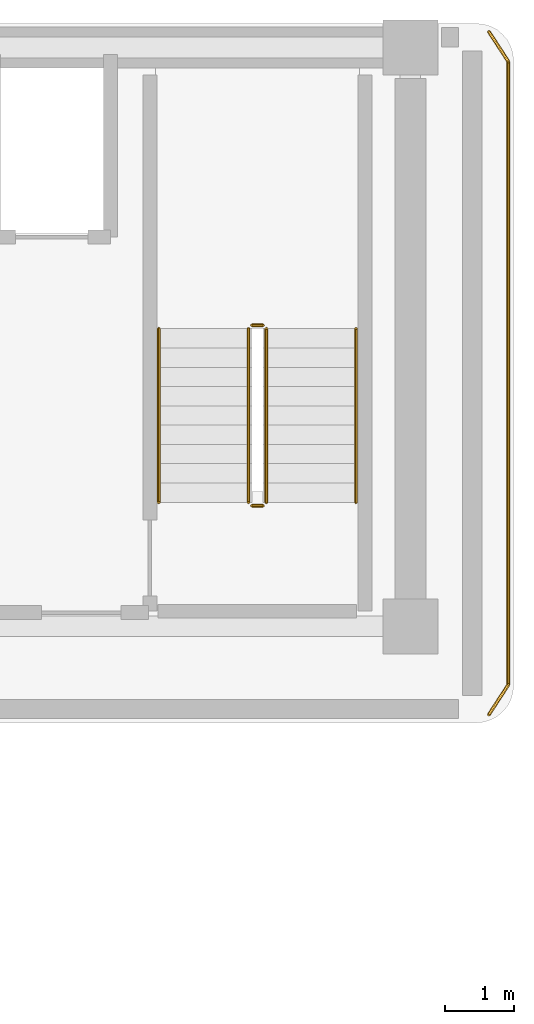
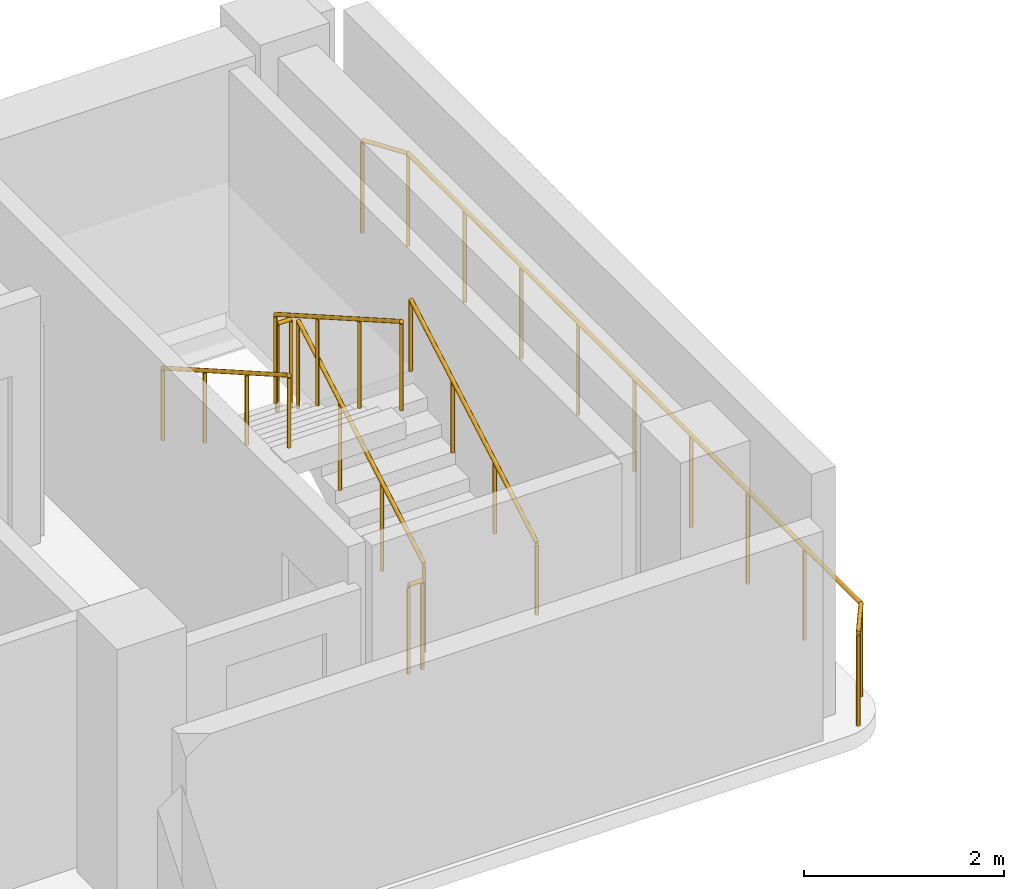
# One storey, part 11 of 11: 9 railings.
"""IFC4 building model written with IfcOpenShell, lengths in metres."""

from ifc_helpers import new_model, si_unit, direction, frame, origin, origin_2d, place, context, subcontext, project, spatial, circle, extrude, material, layer, layer_set, type_object, element, save


model = new_model("IFC4")

# Units and contexts
model_context = context("Model", 3, precision=1e-05, world=origin(), true_north=direction((0.0, 1.0)))
body_context = subcontext(model_context, "Body", "Model", "MODEL_VIEW")
ifc_project = project(units=[si_unit("LENGTHUNIT", "METRE"), si_unit("AREAUNIT", "SQUARE_METRE"), si_unit("VOLUMEUNIT", "CUBIC_METRE"), si_unit("PLANEANGLEUNIT", "RADIAN"), si_unit("MASSUNIT", "GRAM", prefix="KILO")], contexts=[model_context])

# Site, building, storey
site_placement = place(None, origin())
site = spatial("IfcSite", under=ifc_project, at=site_placement, CompositionType="ELEMENT")
building_placement = place(site_placement, origin())
building = spatial("IfcBuilding", under=site, at=building_placement, Name="Kuzgunbayir Cultural Tower", CompositionType="ELEMENT")
storey_placement = place(building_placement, frame((0.0, 0.0, 244.0)))
storey = spatial("IfcBuildingStorey", under=building, at=storey_placement, Name="L72", CompositionType="ELEMENT", Elevation=244.0)

# Railings
ifc_material_1 = material(Name="Laminated Glass and Stainless Steel", Category="steel")
ifc_layer_1 = layer(ifc_material_1, 0.080078125)
ifc_layer_set_1 = layer_set([ifc_layer_1], Name="Laminated Glass and Stainless Steel")
railing_type_1 = type_object("IfcRailingType", Name="RLG-BAL-115", PredefinedType="BALUSTRADE", material=ifc_layer_set_1)
railing_1_placement = place(storey_placement, frame((28.0400390625, 42.429931640625, 0.0)))
element("IfcRailing", 1, at=railing_1_placement, inside=storey, type_object=railing_type_1, Name="L72 Perimeter Edge Guard 1", PredefinedType="BALUSTRADE", context=body_context, shape_type="SweptSolid", body=[
    extrude(circle(Radius=0.02392578125, at=origin_2d()), frame((0.0, 0.0, 1.1259765625), z_axis=(0.545774188207, -0.837932297675, 0.0), x_axis=(0.837932297675, 0.545774188207, 0.0)), (0.0, 0.0, 1.0), 0.51318359375),
    extrude(circle(Radius=0.02099609375, at=origin_2d()), origin(), (0.0, 0.0, 1.0), 1.101806640625),
    extrude(circle(Radius=0.02099609375, at=origin_2d()), frame((0.280029296875, -0.429931640625, 0.0)), (0.0, 0.0, 1.0), 1.101806640625),
])
railing_2_placement = place(storey_placement, frame((28.320068359375, 42.0, 0.0)))
element("IfcRailing", 2, at=railing_2_placement, inside=storey, type_object=railing_type_1, Name="L72 Perimeter Edge Guard 2", PredefinedType="BALUSTRADE", context=body_context, shape_type="SweptSolid", body=[
    extrude(circle(Radius=0.02392578125, at=origin_2d()), frame((0.0, 0.0, 1.1259765625), z_axis=(0.0, -1.0, 0.0), x_axis=(1.0, 0.0, 0.0)), (0.0, 0.0, 1.0), 9.050048828125),
    extrude(circle(Radius=0.02099609375, at=origin_2d()), origin(), (0.0, 0.0, 1.0), 1.101806640625),
    extrude(circle(Radius=0.02099609375, at=origin_2d()), frame((0.0, -1.13134765625, 0.0)), (0.0, 0.0, 1.0), 1.101806640625),
    extrude(circle(Radius=0.02099609375, at=origin_2d()), frame((0.0, -2.262451171875, 0.0)), (0.0, 0.0, 1.0), 1.101806640625),
    extrude(circle(Radius=0.02099609375, at=origin_2d()), frame((0.0, -3.393798828125, 0.0)), (0.0, 0.0, 1.0), 1.101806640625),
    extrude(circle(Radius=0.02099609375, at=origin_2d()), frame((0.0, -4.52490234375, 0.0)), (0.0, 0.0, 1.0), 1.101806640625),
    extrude(circle(Radius=0.02099609375, at=origin_2d()), frame((0.0, -5.65625, 0.0)), (0.0, 0.0, 1.0), 1.101806640625),
    extrude(circle(Radius=0.02099609375, at=origin_2d()), frame((0.0, -6.78759765625, 0.0)), (0.0, 0.0, 1.0), 1.101806640625),
    extrude(circle(Radius=0.02099609375, at=origin_2d()), frame((0.0, -7.918701171875, 0.0)), (0.0, 0.0, 1.0), 1.101806640625),
    extrude(circle(Radius=0.02099609375, at=origin_2d()), frame((0.0, -9.050048828125, 0.0)), (0.0, 0.0, 1.0), 1.101806640625),
])
railing_3_placement = place(storey_placement, frame((28.320068359375, 32.949951171875, 0.0)))
element("IfcRailing", 3, at=railing_3_placement, inside=storey, type_object=railing_type_1, Name="L72 Perimeter Edge Guard 3", PredefinedType="BALUSTRADE", context=body_context, shape_type="SweptSolid", body=[
    extrude(circle(Radius=0.02392578125, at=origin_2d()), frame((0.0, 0.0, 1.1259765625), z_axis=(-0.545774188207, -0.837932297675, 0.0), x_axis=(0.837932297675, -0.545774188207, 0.0)), (0.0, 0.0, 1.0), 0.51318359375),
    extrude(circle(Radius=0.02099609375, at=origin_2d()), origin(), (0.0, 0.0, 1.0), 1.101806640625),
    extrude(circle(Radius=0.02099609375, at=origin_2d()), frame((-0.280029296875, -0.429931640625, 0.0)), (0.0, 0.0, 1.0), 1.101806640625),
])
ifc_material_2 = material(Name="Brushed Stainless Steel", Category="steel")
ifc_layer_2 = layer(ifc_material_2, 0.050048828125)
ifc_layer_set_2 = layer_set([ifc_layer_2], Name="Brushed Stainless Steel")
railing_type_2 = type_object("IfcRailingType", Name="RLG-STAIR-HANDRAIL", PredefinedType="HANDRAIL", material=ifc_layer_set_2)
railing_4_placement = place(storey_placement, frame((26.110107421875, 35.60009765625, 0.159912109375)))
element("IfcRailing", 4, at=railing_4_placement, inside=storey, type_object=railing_type_2, Name="L72 ST-2 stair handrail 1", PredefinedType="HANDRAIL", context=body_context, shape_type="SweptSolid", body=[
    extrude(circle(Radius=0.02392578125, at=origin_2d()), frame((0.0, 0.0, 0.8759765625), z_axis=(0.0, 0.868217259934, 0.496184229447), x_axis=(-1.0, 0.0, 0.0)), (0.0, 0.0, 1.0), 2.902587890625),
    extrude(circle(Radius=0.02099609375, at=origin_2d()), origin(), (0.0, 0.0, 1.0), 0.851806640625),
    extrude(circle(Radius=0.02099609375, at=origin_2d()), frame((0.0, 0.840087890625, 0.47998046875)), (0.0, 0.0, 1.0), 0.851806640625),
    extrude(circle(Radius=0.02099609375, at=origin_2d()), frame((0.0, 1.679931640625, 0.960205078125)), (0.0, 0.0, 1.0), 0.851806640625),
    extrude(circle(Radius=0.02099609375, at=origin_2d()), frame((0.0, 2.52001953125, 1.440185546875)), (0.0, 0.0, 1.0), 0.851806640625),
])
railing_5_placement = place(storey_placement, frame((23.25, 38.1201171875, 1.760009765625)))
element("IfcRailing", 5, at=railing_5_placement, inside=storey, type_object=railing_type_2, Name="L72 ST-2 stair handrail 2", PredefinedType="HANDRAIL", context=body_context, shape_type="SweptSolid", body=[
    extrude(circle(Radius=0.02392578125, at=origin_2d()), frame((0.0, 0.0, 0.8759765625), z_axis=(0.0, -0.868253494771, 0.496120820787), x_axis=(1.0, 0.0, 0.0)), (0.0, 0.0, 1.0), 2.90234375),
    extrude(circle(Radius=0.02099609375, at=origin_2d()), origin(), (0.0, 0.0, 1.0), 0.851806640625),
    extrude(circle(Radius=0.02099609375, at=origin_2d()), frame((0.0, -0.840087890625, 0.47998046875)), (0.0, 0.0, 1.0), 0.851806640625),
    extrude(circle(Radius=0.02099609375, at=origin_2d()), frame((0.0, -1.679931640625, 0.9599609375)), (0.0, 0.0, 1.0), 0.851806640625),
    extrude(circle(Radius=0.02099609375, at=origin_2d()), frame((0.0, -2.52001953125, 1.43994140625)), (0.0, 0.0, 1.0), 0.851806640625),
])
ifc_material_3 = material(Name="Painted Steel Balustrade", Category="steel")
ifc_layer_3 = layer(ifc_material_3, 0.06005859375)
ifc_layer_set_3 = layer_set([ifc_layer_3], Name="Painted Steel Balustrade")
railing_type_3 = type_object("IfcRailingType", Name="RLG-WELL-GUARD", PredefinedType="GUARDRAIL", material=ifc_layer_set_3)
railing_6_placement = place(storey_placement, frame((24.81005859375, 35.60009765625, 0.159912109375)))
element("IfcRailing", 6, at=railing_6_placement, inside=storey, type_object=railing_type_3, Name="L72 ST-2 stair guard 1", PredefinedType="GUARDRAIL", context=body_context, shape_type="SweptSolid", body=[
    extrude(circle(Radius=0.02392578125, at=origin_2d()), frame((0.0, 0.0, 1.076171875), z_axis=(0.0, 0.868217259934, 0.496184229447), x_axis=(-1.0, 0.0, 0.0)), (0.0, 0.0, 1.0), 2.902587890625),
    extrude(circle(Radius=0.02099609375, at=origin_2d()), origin(), (0.0, 0.0, 1.0), 1.052001953125),
    extrude(circle(Radius=0.02099609375, at=origin_2d()), frame((0.0, 0.840087890625, 0.47998046875)), (0.0, 0.0, 1.0), 1.052001953125),
    extrude(circle(Radius=0.02099609375, at=origin_2d()), frame((0.0, 1.679931640625, 0.960205078125)), (0.0, 0.0, 1.0), 1.052001953125),
    extrude(circle(Radius=0.02099609375, at=origin_2d()), frame((0.0, 2.52001953125, 1.440185546875)), (0.0, 0.0, 1.0), 1.052001953125),
])
railing_7_placement = place(storey_placement, frame((24.760009765625, 38.169921875, 1.60009765625)))
element("IfcRailing", 7, at=railing_7_placement, inside=storey, type_object=railing_type_3, Name="L72 ST-2 stair guard 2", PredefinedType="GUARDRAIL", context=body_context, shape_type="SweptSolid", body=[
    extrude(circle(Radius=0.02392578125, at=origin_2d()), frame((0.0, 0.0, 1.076171875), z_axis=(-1.0, 0.0, 0.0), x_axis=(0.0, -1.0, 0.0)), (0.0, 0.0, 1.0), 0.159912109375),
    extrude(circle(Radius=0.02099609375, at=origin_2d()), origin(), (0.0, 0.0, 1.0), 1.052001953125),
    extrude(circle(Radius=0.02099609375, at=origin_2d()), frame((-0.159912109375, 0.0, 0.0)), (0.0, 0.0, 1.0), 1.052001953125),
])
railing_8_placement = place(storey_placement, frame((24.550048828125, 38.1201171875, 1.760009765625)))
element("IfcRailing", 8, at=railing_8_placement, inside=storey, type_object=railing_type_3, Name="L72 ST-2 stair guard 3", PredefinedType="GUARDRAIL", context=body_context, shape_type="SweptSolid", body=[
    extrude(circle(Radius=0.02392578125, at=origin_2d()), frame((0.0, 0.0, 1.076171875), z_axis=(0.0, -0.868253494771, 0.496120820787), x_axis=(1.0, 0.0, 0.0)), (0.0, 0.0, 1.0), 2.90234375),
    extrude(circle(Radius=0.02099609375, at=origin_2d()), origin(), (0.0, 0.0, 1.0), 1.052001953125),
    extrude(circle(Radius=0.02099609375, at=origin_2d()), frame((0.0, -0.840087890625, 0.47998046875)), (0.0, 0.0, 1.0), 1.052001953125),
    extrude(circle(Radius=0.02099609375, at=origin_2d()), frame((0.0, -1.679931640625, 0.9599609375)), (0.0, 0.0, 1.0), 1.052001953125),
    extrude(circle(Radius=0.02099609375, at=origin_2d()), frame((0.0, -2.52001953125, 1.43994140625)), (0.0, 0.0, 1.0), 1.052001953125),
])
railing_9_placement = place(storey_placement, frame((24.760009765625, 35.550048828125, 0.0)))
element("IfcRailing", 9, at=railing_9_placement, inside=storey, type_object=railing_type_3, Name="L72 ST-2 stair guard 4", PredefinedType="GUARDRAIL", context=body_context, shape_type="SweptSolid", body=[
    extrude(circle(Radius=0.02392578125, at=origin_2d()), frame((0.0, 0.0, 1.076171875), z_axis=(-1.0, 0.0, 0.0), x_axis=(0.0, -1.0, 0.0)), (0.0, 0.0, 1.0), 0.159912109375),
    extrude(circle(Radius=0.02099609375, at=origin_2d()), origin(), (0.0, 0.0, 1.0), 1.052001953125),
    extrude(circle(Radius=0.02099609375, at=origin_2d()), frame((-0.159912109375, 0.0, 0.0)), (0.0, 0.0, 1.0), 1.052001953125),
])

save(model, "model.ifc")
